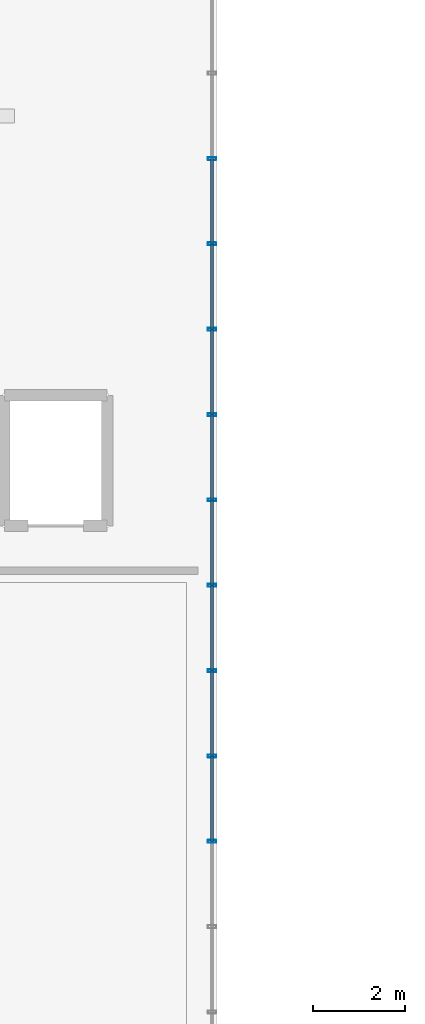
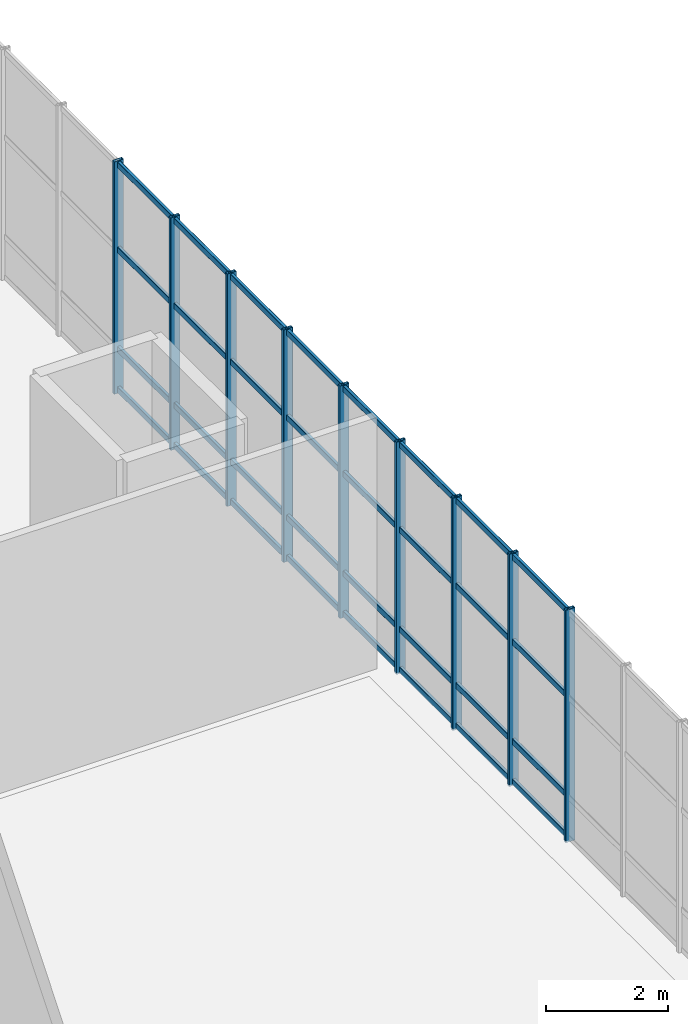
# One storey, part 116 of 176: 41 members, 2 elements without a shape of their own.
"""IFC4 building model written with IfcOpenShell, lengths in metres."""

from ifc_helpers import new_model, si_unit, direction, frame, origin, origin_2d, place, context, subcontext, project, spatial, hollow_rectangle, extrude, material, layer, layer_set, material_profile, profile_set, type_object, element, aggregate, save


model = new_model("IFC4")

# Units and contexts
model_context = context("Model", 3, precision=1e-05, world=origin(), true_north=direction((0.0, 1.0)))
body_context = subcontext(model_context, "Body", "Model", "MODEL_VIEW")
ifc_project = project(units=[si_unit("LENGTHUNIT", "METRE"), si_unit("AREAUNIT", "SQUARE_METRE"), si_unit("VOLUMEUNIT", "CUBIC_METRE"), si_unit("PLANEANGLEUNIT", "RADIAN"), si_unit("MASSUNIT", "GRAM", prefix="KILO")], contexts=[model_context])

# Site, building, storey
site_placement = place(None, origin())
site = spatial("IfcSite", under=ifc_project, at=site_placement, CompositionType="ELEMENT")
building_placement = place(site_placement, origin())
building = spatial("IfcBuilding", under=site, at=building_placement, Name="Khorjan Park Terminus", CompositionType="ELEMENT")
storey_placement = place(building_placement, frame((0.0, 0.0, 6.0)))
storey = spatial("IfcBuildingStorey", under=building, at=storey_placement, Name="L01", CompositionType="ELEMENT", Elevation=6.0)

# Curtain wall, members
ifc_material = material(Name="Anodized Bronze Aluminium", Category="aluminium")
ifc_layer = layer(ifc_material, 0.22)
ifc_layer_set = layer_set([ifc_layer], Name="Anodized Bronze Aluminium")
curtain_wall_type = type_object("IfcCurtainWallType", Name="CW-BRG-D", PredefinedType="NOTDEFINED", material=ifc_layer_set)
curtain_wall_1_placement = place(storey_placement, origin())
curtain_wall_1 = element("IfcCurtainWall", 1, at=curtain_wall_1_placement, inside=storey, type_object=curtain_wall_type, Name="Unitized curtain wall CW-D (CW-BRE-E-2)", PredefinedType="NOTDEFINED")
ifc_material_profile_1 = material_profile(ifc_material, hollow_rectangle(XDim=0.065, YDim=0.18, WallThickness=0.004, InnerFilletRadius=0.004, OuterFilletRadius=0.008, at=origin_2d()), Name="ALM 65x180x4")
ifc_profile_set_1 = profile_set([ifc_material_profile_1], Name="Anodized Bronze Aluminium")
member_type_1 = type_object("IfcMemberType", Name="ML-ALM-180", PredefinedType="MULLION", material=ifc_profile_set_1)
member_1_placement = place(storey_placement, frame((131.9, 118.7143, -0.035), z_axis=(0.0, 0.0, 1.0), x_axis=(0.0, 1.0, 0.0)))
member_1 = element("IfcMember", 2, at=member_1_placement, type_object=member_type_1, Name="Curtain-wall mullion ML-18 (CW-BRE-E-2-2)", PredefinedType="MULLION", context=body_context, shape_type="SweptSolid", body=[
    extrude(hollow_rectangle(XDim=0.065, YDim=0.18, WallThickness=0.004, InnerFilletRadius=0.004, OuterFilletRadius=0.008, at=origin_2d()), origin(), (0.0, 0.0, 1.0), 4.67),
])
member_2_placement = place(storey_placement, frame((131.9, 120.5714, -0.035), z_axis=(0.0, 0.0, 1.0), x_axis=(0.0, 1.0, 0.0)))
member_2 = element("IfcMember", 3, at=member_2_placement, type_object=member_type_1, Name="Curtain-wall mullion ML-18 (CW-BRE-E-2-3)", PredefinedType="MULLION", context=body_context, shape_type="SweptSolid", body=[
    extrude(hollow_rectangle(XDim=0.065, YDim=0.18, WallThickness=0.004, InnerFilletRadius=0.004, OuterFilletRadius=0.008, at=origin_2d()), origin(), (0.0, 0.0, 1.0), 4.67),
])
member_3_placement = place(storey_placement, frame((131.9, 122.4286, -0.035), z_axis=(0.0, 0.0, 1.0), x_axis=(0.0, 1.0, 0.0)))
member_3 = element("IfcMember", 4, at=member_3_placement, type_object=member_type_1, Name="Curtain-wall mullion ML-18 (CW-BRE-E-2-4)", PredefinedType="MULLION", context=body_context, shape_type="SweptSolid", body=[
    extrude(hollow_rectangle(XDim=0.065, YDim=0.18, WallThickness=0.004, InnerFilletRadius=0.004, OuterFilletRadius=0.008, at=origin_2d()), origin(), (0.0, 0.0, 1.0), 4.67),
])
member_4_placement = place(storey_placement, frame((131.9, 124.2857, -0.035), z_axis=(0.0, 0.0, 1.0), x_axis=(0.0, 1.0, 0.0)))
member_4 = element("IfcMember", 5, at=member_4_placement, type_object=member_type_1, Name="Curtain-wall mullion ML-18 (CW-BRE-E-2-5)", PredefinedType="MULLION", context=body_context, shape_type="SweptSolid", body=[
    extrude(hollow_rectangle(XDim=0.065, YDim=0.18, WallThickness=0.004, InnerFilletRadius=0.004, OuterFilletRadius=0.008, at=origin_2d()), origin(), (0.0, 0.0, 1.0), 4.67),
])
member_5_placement = place(storey_placement, frame((131.9, 126.1429, -0.035), z_axis=(0.0, 0.0, 1.0), x_axis=(0.0, 1.0, 0.0)))
member_5 = element("IfcMember", 6, at=member_5_placement, type_object=member_type_1, Name="Curtain-wall mullion ML-18 (CW-BRE-E-2-6)", PredefinedType="MULLION", context=body_context, shape_type="SweptSolid", body=[
    extrude(hollow_rectangle(XDim=0.065, YDim=0.18, WallThickness=0.004, InnerFilletRadius=0.004, OuterFilletRadius=0.008, at=origin_2d()), origin(), (0.0, 0.0, 1.0), 4.67),
])
member_6_placement = place(storey_placement, frame((131.9, 128.0, -0.035), z_axis=(0.0, 0.0, 1.0), x_axis=(0.0, 1.0, 0.0)))
member_6 = element("IfcMember", 7, at=member_6_placement, type_object=member_type_1, Name="Curtain-wall mullion ML-18 (CW-BRE-E-2-7)", PredefinedType="MULLION", context=body_context, shape_type="SweptSolid", body=[
    extrude(hollow_rectangle(XDim=0.065, YDim=0.18, WallThickness=0.004, InnerFilletRadius=0.004, OuterFilletRadius=0.008, at=origin_2d()), origin(), (0.0, 0.0, 1.0), 4.67),
])

curtain_wall_2_placement = place(storey_placement, origin())
curtain_wall_2 = element("IfcCurtainWall", 8, at=curtain_wall_2_placement, inside=storey, type_object=curtain_wall_type, Name="Unitized curtain wall CW-D (CW-BRE-E-3)", PredefinedType="NOTDEFINED")
member_7_placement = place(storey_placement, frame((131.9, 129.8571, -0.035), z_axis=(0.0, 0.0, 1.0), x_axis=(0.0, 1.0, 0.0)))
member_7 = element("IfcMember", 9, at=member_7_placement, type_object=member_type_1, Name="Curtain-wall mullion ML-18 (CW-BRE-E-3-1)", PredefinedType="MULLION", context=body_context, shape_type="SweptSolid", body=[
    extrude(hollow_rectangle(XDim=0.065, YDim=0.18, WallThickness=0.004, InnerFilletRadius=0.004, OuterFilletRadius=0.008, at=origin_2d()), origin(), (0.0, 0.0, 1.0), 4.67),
])
member_8_placement = place(storey_placement, frame((131.9, 131.7143, -0.035), z_axis=(0.0, 0.0, 1.0), x_axis=(0.0, 1.0, 0.0)))
member_8 = element("IfcMember", 10, at=member_8_placement, type_object=member_type_1, Name="Curtain-wall mullion ML-18 (CW-BRE-E-3-2)", PredefinedType="MULLION", context=body_context, shape_type="SweptSolid", body=[
    extrude(hollow_rectangle(XDim=0.065, YDim=0.18, WallThickness=0.004, InnerFilletRadius=0.004, OuterFilletRadius=0.008, at=origin_2d()), origin(), (0.0, 0.0, 1.0), 4.67),
])
member_9_placement = place(storey_placement, frame((131.9, 133.5714, -0.035), z_axis=(0.0, 0.0, 1.0), x_axis=(0.0, 1.0, 0.0)))
member_9 = element("IfcMember", 11, at=member_9_placement, type_object=member_type_1, Name="Curtain-wall mullion ML-18 (CW-BRE-E-3-3)", PredefinedType="MULLION", context=body_context, shape_type="SweptSolid", body=[
    extrude(hollow_rectangle(XDim=0.065, YDim=0.18, WallThickness=0.004, InnerFilletRadius=0.004, OuterFilletRadius=0.008, at=origin_2d()), origin(), (0.0, 0.0, 1.0), 4.67),
])

# Member
ifc_material_profile_2 = material_profile(ifc_material, hollow_rectangle(XDim=0.06, YDim=0.12, WallThickness=0.004, InnerFilletRadius=0.004, OuterFilletRadius=0.008, at=origin_2d()), Name="ALT 60x120x4")
ifc_profile_set_2 = profile_set([ifc_material_profile_2], Name="Anodized Bronze Aluminium")
member_type_2 = type_object("IfcMemberType", Name="TR-ALT-120", PredefinedType="USERDEFINED", material=ifc_profile_set_2)
member_10_placement = place(storey_placement, frame((131.9, 118.7143, 0.04), z_axis=(0.0, 1.0, 0.0), x_axis=(-1.0, 0.0, 0.0)))
member_10 = element("IfcMember", 12, at=member_10_placement, type_object=member_type_2, Name="Curtain-wall transom TR-12 (CW-BRE-E-2-2-1)", ObjectType="TRANSOM", PredefinedType="USERDEFINED", context=body_context, shape_type="SweptSolid", body=[
    extrude(hollow_rectangle(XDim=0.06, YDim=0.12, WallThickness=0.004, InnerFilletRadius=0.004, OuterFilletRadius=0.008, at=origin_2d()), origin(), (0.0, 0.0, 1.0), 1.8571),
])

member_11_placement = place(storey_placement, frame((131.9, 118.7143, 0.85), z_axis=(0.0, 1.0, 0.0), x_axis=(-1.0, 0.0, 0.0)))
member_11 = element("IfcMember", 13, at=member_11_placement, type_object=member_type_2, Name="Curtain-wall transom TR-12 (CW-BRE-E-2-2-2)", ObjectType="TRANSOM", PredefinedType="USERDEFINED", context=body_context, shape_type="SweptSolid", body=[
    extrude(hollow_rectangle(XDim=0.06, YDim=0.12, WallThickness=0.004, InnerFilletRadius=0.004, OuterFilletRadius=0.008, at=origin_2d()), origin(), (0.0, 0.0, 1.0), 1.8571),
])

member_12_placement = place(storey_placement, frame((131.9, 118.7143, 2.852), z_axis=(0.0, 1.0, 0.0), x_axis=(-1.0, 0.0, 0.0)))
member_12 = element("IfcMember", 14, at=member_12_placement, type_object=member_type_2, Name="Curtain-wall transom TR-12 (CW-BRE-E-2-2-3)", ObjectType="TRANSOM", PredefinedType="USERDEFINED", context=body_context, shape_type="SweptSolid", body=[
    extrude(hollow_rectangle(XDim=0.06, YDim=0.12, WallThickness=0.004, InnerFilletRadius=0.004, OuterFilletRadius=0.008, at=origin_2d()), origin(), (0.0, 0.0, 1.0), 1.8571),
])

member_13_placement = place(storey_placement, frame((131.9, 118.7143, 4.56), z_axis=(0.0, 1.0, 0.0), x_axis=(-1.0, 0.0, 0.0)))
member_13 = element("IfcMember", 15, at=member_13_placement, type_object=member_type_2, Name="Curtain-wall transom TR-12 (CW-BRE-E-2-2-4)", ObjectType="TRANSOM", PredefinedType="USERDEFINED", context=body_context, shape_type="SweptSolid", body=[
    extrude(hollow_rectangle(XDim=0.06, YDim=0.12, WallThickness=0.004, InnerFilletRadius=0.004, OuterFilletRadius=0.008, at=origin_2d()), origin(), (0.0, 0.0, 1.0), 1.8571),
])

member_14_placement = place(storey_placement, frame((131.9, 120.5714, 0.04), z_axis=(0.0, 1.0, 0.0), x_axis=(-1.0, 0.0, 0.0)))
member_14 = element("IfcMember", 16, at=member_14_placement, type_object=member_type_2, Name="Curtain-wall transom TR-12 (CW-BRE-E-2-3-1)", ObjectType="TRANSOM", PredefinedType="USERDEFINED", context=body_context, shape_type="SweptSolid", body=[
    extrude(hollow_rectangle(XDim=0.06, YDim=0.12, WallThickness=0.004, InnerFilletRadius=0.004, OuterFilletRadius=0.008, at=origin_2d()), origin(), (0.0, 0.0, 1.0), 1.8572),
])

member_15_placement = place(storey_placement, frame((131.9, 120.5714, 0.85), z_axis=(0.0, 1.0, 0.0), x_axis=(-1.0, 0.0, 0.0)))
member_15 = element("IfcMember", 17, at=member_15_placement, type_object=member_type_2, Name="Curtain-wall transom TR-12 (CW-BRE-E-2-3-2)", ObjectType="TRANSOM", PredefinedType="USERDEFINED", context=body_context, shape_type="SweptSolid", body=[
    extrude(hollow_rectangle(XDim=0.06, YDim=0.12, WallThickness=0.004, InnerFilletRadius=0.004, OuterFilletRadius=0.008, at=origin_2d()), origin(), (0.0, 0.0, 1.0), 1.8572),
])

member_16_placement = place(storey_placement, frame((131.9, 120.5714, 2.852), z_axis=(0.0, 1.0, 0.0), x_axis=(-1.0, 0.0, 0.0)))
member_16 = element("IfcMember", 18, at=member_16_placement, type_object=member_type_2, Name="Curtain-wall transom TR-12 (CW-BRE-E-2-3-3)", ObjectType="TRANSOM", PredefinedType="USERDEFINED", context=body_context, shape_type="SweptSolid", body=[
    extrude(hollow_rectangle(XDim=0.06, YDim=0.12, WallThickness=0.004, InnerFilletRadius=0.004, OuterFilletRadius=0.008, at=origin_2d()), origin(), (0.0, 0.0, 1.0), 1.8572),
])

member_17_placement = place(storey_placement, frame((131.9, 120.5714, 4.56), z_axis=(0.0, 1.0, 0.0), x_axis=(-1.0, 0.0, 0.0)))
member_17 = element("IfcMember", 19, at=member_17_placement, type_object=member_type_2, Name="Curtain-wall transom TR-12 (CW-BRE-E-2-3-4)", ObjectType="TRANSOM", PredefinedType="USERDEFINED", context=body_context, shape_type="SweptSolid", body=[
    extrude(hollow_rectangle(XDim=0.06, YDim=0.12, WallThickness=0.004, InnerFilletRadius=0.004, OuterFilletRadius=0.008, at=origin_2d()), origin(), (0.0, 0.0, 1.0), 1.8572),
])

member_18_placement = place(storey_placement, frame((131.9, 122.4286, 0.04), z_axis=(0.0, 1.0, 0.0), x_axis=(-1.0, 0.0, 0.0)))
member_18 = element("IfcMember", 20, at=member_18_placement, type_object=member_type_2, Name="Curtain-wall transom TR-12 (CW-BRE-E-2-4-1)", ObjectType="TRANSOM", PredefinedType="USERDEFINED", context=body_context, shape_type="SweptSolid", body=[
    extrude(hollow_rectangle(XDim=0.06, YDim=0.12, WallThickness=0.004, InnerFilletRadius=0.004, OuterFilletRadius=0.008, at=origin_2d()), origin(), (0.0, 0.0, 1.0), 1.8571),
])

member_19_placement = place(storey_placement, frame((131.9, 122.4286, 0.85), z_axis=(0.0, 1.0, 0.0), x_axis=(-1.0, 0.0, 0.0)))
member_19 = element("IfcMember", 21, at=member_19_placement, type_object=member_type_2, Name="Curtain-wall transom TR-12 (CW-BRE-E-2-4-2)", ObjectType="TRANSOM", PredefinedType="USERDEFINED", context=body_context, shape_type="SweptSolid", body=[
    extrude(hollow_rectangle(XDim=0.06, YDim=0.12, WallThickness=0.004, InnerFilletRadius=0.004, OuterFilletRadius=0.008, at=origin_2d()), origin(), (0.0, 0.0, 1.0), 1.8571),
])

member_20_placement = place(storey_placement, frame((131.9, 122.4286, 2.852), z_axis=(0.0, 1.0, 0.0), x_axis=(-1.0, 0.0, 0.0)))
member_20 = element("IfcMember", 22, at=member_20_placement, type_object=member_type_2, Name="Curtain-wall transom TR-12 (CW-BRE-E-2-4-3)", ObjectType="TRANSOM", PredefinedType="USERDEFINED", context=body_context, shape_type="SweptSolid", body=[
    extrude(hollow_rectangle(XDim=0.06, YDim=0.12, WallThickness=0.004, InnerFilletRadius=0.004, OuterFilletRadius=0.008, at=origin_2d()), origin(), (0.0, 0.0, 1.0), 1.8571),
])

member_21_placement = place(storey_placement, frame((131.9, 122.4286, 4.56), z_axis=(0.0, 1.0, 0.0), x_axis=(-1.0, 0.0, 0.0)))
member_21 = element("IfcMember", 23, at=member_21_placement, type_object=member_type_2, Name="Curtain-wall transom TR-12 (CW-BRE-E-2-4-4)", ObjectType="TRANSOM", PredefinedType="USERDEFINED", context=body_context, shape_type="SweptSolid", body=[
    extrude(hollow_rectangle(XDim=0.06, YDim=0.12, WallThickness=0.004, InnerFilletRadius=0.004, OuterFilletRadius=0.008, at=origin_2d()), origin(), (0.0, 0.0, 1.0), 1.8571),
])

member_22_placement = place(storey_placement, frame((131.9, 124.2857, 0.04), z_axis=(0.0, 1.0, 0.0), x_axis=(-1.0, 0.0, 0.0)))
member_22 = element("IfcMember", 24, at=member_22_placement, type_object=member_type_2, Name="Curtain-wall transom TR-12 (CW-BRE-E-2-5-1)", ObjectType="TRANSOM", PredefinedType="USERDEFINED", context=body_context, shape_type="SweptSolid", body=[
    extrude(hollow_rectangle(XDim=0.06, YDim=0.12, WallThickness=0.004, InnerFilletRadius=0.004, OuterFilletRadius=0.008, at=origin_2d()), origin(), (0.0, 0.0, 1.0), 1.8572),
])

member_23_placement = place(storey_placement, frame((131.9, 124.2857, 0.85), z_axis=(0.0, 1.0, 0.0), x_axis=(-1.0, 0.0, 0.0)))
member_23 = element("IfcMember", 25, at=member_23_placement, type_object=member_type_2, Name="Curtain-wall transom TR-12 (CW-BRE-E-2-5-2)", ObjectType="TRANSOM", PredefinedType="USERDEFINED", context=body_context, shape_type="SweptSolid", body=[
    extrude(hollow_rectangle(XDim=0.06, YDim=0.12, WallThickness=0.004, InnerFilletRadius=0.004, OuterFilletRadius=0.008, at=origin_2d()), origin(), (0.0, 0.0, 1.0), 1.8572),
])

member_24_placement = place(storey_placement, frame((131.9, 124.2857, 2.852), z_axis=(0.0, 1.0, 0.0), x_axis=(-1.0, 0.0, 0.0)))
member_24 = element("IfcMember", 26, at=member_24_placement, type_object=member_type_2, Name="Curtain-wall transom TR-12 (CW-BRE-E-2-5-3)", ObjectType="TRANSOM", PredefinedType="USERDEFINED", context=body_context, shape_type="SweptSolid", body=[
    extrude(hollow_rectangle(XDim=0.06, YDim=0.12, WallThickness=0.004, InnerFilletRadius=0.004, OuterFilletRadius=0.008, at=origin_2d()), origin(), (0.0, 0.0, 1.0), 1.8572),
])

member_25_placement = place(storey_placement, frame((131.9, 124.2857, 4.56), z_axis=(0.0, 1.0, 0.0), x_axis=(-1.0, 0.0, 0.0)))
member_25 = element("IfcMember", 27, at=member_25_placement, type_object=member_type_2, Name="Curtain-wall transom TR-12 (CW-BRE-E-2-5-4)", ObjectType="TRANSOM", PredefinedType="USERDEFINED", context=body_context, shape_type="SweptSolid", body=[
    extrude(hollow_rectangle(XDim=0.06, YDim=0.12, WallThickness=0.004, InnerFilletRadius=0.004, OuterFilletRadius=0.008, at=origin_2d()), origin(), (0.0, 0.0, 1.0), 1.8572),
])

member_26_placement = place(storey_placement, frame((131.9, 126.1429, 0.04), z_axis=(0.0, 1.0, 0.0), x_axis=(-1.0, 0.0, 0.0)))
member_26 = element("IfcMember", 28, at=member_26_placement, type_object=member_type_2, Name="Curtain-wall transom TR-12 (CW-BRE-E-2-6-1)", ObjectType="TRANSOM", PredefinedType="USERDEFINED", context=body_context, shape_type="SweptSolid", body=[
    extrude(hollow_rectangle(XDim=0.06, YDim=0.12, WallThickness=0.004, InnerFilletRadius=0.004, OuterFilletRadius=0.008, at=origin_2d()), origin(), (0.0, 0.0, 1.0), 1.8571),
])

member_27_placement = place(storey_placement, frame((131.9, 126.1429, 0.85), z_axis=(0.0, 1.0, 0.0), x_axis=(-1.0, 0.0, 0.0)))
member_27 = element("IfcMember", 29, at=member_27_placement, type_object=member_type_2, Name="Curtain-wall transom TR-12 (CW-BRE-E-2-6-2)", ObjectType="TRANSOM", PredefinedType="USERDEFINED", context=body_context, shape_type="SweptSolid", body=[
    extrude(hollow_rectangle(XDim=0.06, YDim=0.12, WallThickness=0.004, InnerFilletRadius=0.004, OuterFilletRadius=0.008, at=origin_2d()), origin(), (0.0, 0.0, 1.0), 1.8571),
])

member_28_placement = place(storey_placement, frame((131.9, 126.1429, 2.852), z_axis=(0.0, 1.0, 0.0), x_axis=(-1.0, 0.0, 0.0)))
member_28 = element("IfcMember", 30, at=member_28_placement, type_object=member_type_2, Name="Curtain-wall transom TR-12 (CW-BRE-E-2-6-3)", ObjectType="TRANSOM", PredefinedType="USERDEFINED", context=body_context, shape_type="SweptSolid", body=[
    extrude(hollow_rectangle(XDim=0.06, YDim=0.12, WallThickness=0.004, InnerFilletRadius=0.004, OuterFilletRadius=0.008, at=origin_2d()), origin(), (0.0, 0.0, 1.0), 1.8571),
])

member_29_placement = place(storey_placement, frame((131.9, 126.1429, 4.56), z_axis=(0.0, 1.0, 0.0), x_axis=(-1.0, 0.0, 0.0)))
member_29 = element("IfcMember", 31, at=member_29_placement, type_object=member_type_2, Name="Curtain-wall transom TR-12 (CW-BRE-E-2-6-4)", ObjectType="TRANSOM", PredefinedType="USERDEFINED", context=body_context, shape_type="SweptSolid", body=[
    extrude(hollow_rectangle(XDim=0.06, YDim=0.12, WallThickness=0.004, InnerFilletRadius=0.004, OuterFilletRadius=0.008, at=origin_2d()), origin(), (0.0, 0.0, 1.0), 1.8571),
])

aggregate(curtain_wall_1, [member_1, member_2, member_3, member_4, member_5, member_6, member_10, member_11, member_12, member_13, member_14, member_15, member_16, member_17, member_18, member_19, member_20, member_21, member_22, member_23, member_24, member_25, member_26, member_27, member_28, member_29])

member_30_placement = place(storey_placement, frame((131.9, 128.0, 0.04), z_axis=(0.0, 1.0, 0.0), x_axis=(-1.0, 0.0, 0.0)))
member_30 = element("IfcMember", 32, at=member_30_placement, type_object=member_type_2, Name="Curtain-wall transom TR-12 (CW-BRE-E-3-0-1)", ObjectType="TRANSOM", PredefinedType="USERDEFINED", context=body_context, shape_type="SweptSolid", body=[
    extrude(hollow_rectangle(XDim=0.06, YDim=0.12, WallThickness=0.004, InnerFilletRadius=0.004, OuterFilletRadius=0.008, at=origin_2d()), origin(), (0.0, 0.0, 1.0), 1.8571),
])

member_31_placement = place(storey_placement, frame((131.9, 128.0, 0.85), z_axis=(0.0, 1.0, 0.0), x_axis=(-1.0, 0.0, 0.0)))
member_31 = element("IfcMember", 33, at=member_31_placement, type_object=member_type_2, Name="Curtain-wall transom TR-12 (CW-BRE-E-3-0-2)", ObjectType="TRANSOM", PredefinedType="USERDEFINED", context=body_context, shape_type="SweptSolid", body=[
    extrude(hollow_rectangle(XDim=0.06, YDim=0.12, WallThickness=0.004, InnerFilletRadius=0.004, OuterFilletRadius=0.008, at=origin_2d()), origin(), (0.0, 0.0, 1.0), 1.8571),
])

member_32_placement = place(storey_placement, frame((131.9, 128.0, 2.852), z_axis=(0.0, 1.0, 0.0), x_axis=(-1.0, 0.0, 0.0)))
member_32 = element("IfcMember", 34, at=member_32_placement, type_object=member_type_2, Name="Curtain-wall transom TR-12 (CW-BRE-E-3-0-3)", ObjectType="TRANSOM", PredefinedType="USERDEFINED", context=body_context, shape_type="SweptSolid", body=[
    extrude(hollow_rectangle(XDim=0.06, YDim=0.12, WallThickness=0.004, InnerFilletRadius=0.004, OuterFilletRadius=0.008, at=origin_2d()), origin(), (0.0, 0.0, 1.0), 1.8571),
])

member_33_placement = place(storey_placement, frame((131.9, 128.0, 4.56), z_axis=(0.0, 1.0, 0.0), x_axis=(-1.0, 0.0, 0.0)))
member_33 = element("IfcMember", 35, at=member_33_placement, type_object=member_type_2, Name="Curtain-wall transom TR-12 (CW-BRE-E-3-0-4)", ObjectType="TRANSOM", PredefinedType="USERDEFINED", context=body_context, shape_type="SweptSolid", body=[
    extrude(hollow_rectangle(XDim=0.06, YDim=0.12, WallThickness=0.004, InnerFilletRadius=0.004, OuterFilletRadius=0.008, at=origin_2d()), origin(), (0.0, 0.0, 1.0), 1.8571),
])

member_34_placement = place(storey_placement, frame((131.9, 129.8571, 0.04), z_axis=(0.0, 1.0, 0.0), x_axis=(-1.0, 0.0, 0.0)))
member_34 = element("IfcMember", 36, at=member_34_placement, type_object=member_type_2, Name="Curtain-wall transom TR-12 (CW-BRE-E-3-1-1)", ObjectType="TRANSOM", PredefinedType="USERDEFINED", context=body_context, shape_type="SweptSolid", body=[
    extrude(hollow_rectangle(XDim=0.06, YDim=0.12, WallThickness=0.004, InnerFilletRadius=0.004, OuterFilletRadius=0.008, at=origin_2d()), origin(), (0.0, 0.0, 1.0), 1.8572),
])

member_35_placement = place(storey_placement, frame((131.9, 129.8571, 0.85), z_axis=(0.0, 1.0, 0.0), x_axis=(-1.0, 0.0, 0.0)))
member_35 = element("IfcMember", 37, at=member_35_placement, type_object=member_type_2, Name="Curtain-wall transom TR-12 (CW-BRE-E-3-1-2)", ObjectType="TRANSOM", PredefinedType="USERDEFINED", context=body_context, shape_type="SweptSolid", body=[
    extrude(hollow_rectangle(XDim=0.06, YDim=0.12, WallThickness=0.004, InnerFilletRadius=0.004, OuterFilletRadius=0.008, at=origin_2d()), origin(), (0.0, 0.0, 1.0), 1.8572),
])

member_36_placement = place(storey_placement, frame((131.9, 129.8571, 2.852), z_axis=(0.0, 1.0, 0.0), x_axis=(-1.0, 0.0, 0.0)))
member_36 = element("IfcMember", 38, at=member_36_placement, type_object=member_type_2, Name="Curtain-wall transom TR-12 (CW-BRE-E-3-1-3)", ObjectType="TRANSOM", PredefinedType="USERDEFINED", context=body_context, shape_type="SweptSolid", body=[
    extrude(hollow_rectangle(XDim=0.06, YDim=0.12, WallThickness=0.004, InnerFilletRadius=0.004, OuterFilletRadius=0.008, at=origin_2d()), origin(), (0.0, 0.0, 1.0), 1.8572),
])

member_37_placement = place(storey_placement, frame((131.9, 129.8571, 4.56), z_axis=(0.0, 1.0, 0.0), x_axis=(-1.0, 0.0, 0.0)))
member_37 = element("IfcMember", 39, at=member_37_placement, type_object=member_type_2, Name="Curtain-wall transom TR-12 (CW-BRE-E-3-1-4)", ObjectType="TRANSOM", PredefinedType="USERDEFINED", context=body_context, shape_type="SweptSolid", body=[
    extrude(hollow_rectangle(XDim=0.06, YDim=0.12, WallThickness=0.004, InnerFilletRadius=0.004, OuterFilletRadius=0.008, at=origin_2d()), origin(), (0.0, 0.0, 1.0), 1.8572),
])

member_38_placement = place(storey_placement, frame((131.9, 131.7143, 0.04), z_axis=(0.0, 1.0, 0.0), x_axis=(-1.0, 0.0, 0.0)))
member_38 = element("IfcMember", 40, at=member_38_placement, type_object=member_type_2, Name="Curtain-wall transom TR-12 (CW-BRE-E-3-2-1)", ObjectType="TRANSOM", PredefinedType="USERDEFINED", context=body_context, shape_type="SweptSolid", body=[
    extrude(hollow_rectangle(XDim=0.06, YDim=0.12, WallThickness=0.004, InnerFilletRadius=0.004, OuterFilletRadius=0.008, at=origin_2d()), origin(), (0.0, 0.0, 1.0), 1.8571),
])

member_39_placement = place(storey_placement, frame((131.9, 131.7143, 0.85), z_axis=(0.0, 1.0, 0.0), x_axis=(-1.0, 0.0, 0.0)))
member_39 = element("IfcMember", 41, at=member_39_placement, type_object=member_type_2, Name="Curtain-wall transom TR-12 (CW-BRE-E-3-2-2)", ObjectType="TRANSOM", PredefinedType="USERDEFINED", context=body_context, shape_type="SweptSolid", body=[
    extrude(hollow_rectangle(XDim=0.06, YDim=0.12, WallThickness=0.004, InnerFilletRadius=0.004, OuterFilletRadius=0.008, at=origin_2d()), origin(), (0.0, 0.0, 1.0), 1.8571),
])

member_40_placement = place(storey_placement, frame((131.9, 131.7143, 2.852), z_axis=(0.0, 1.0, 0.0), x_axis=(-1.0, 0.0, 0.0)))
member_40 = element("IfcMember", 42, at=member_40_placement, type_object=member_type_2, Name="Curtain-wall transom TR-12 (CW-BRE-E-3-2-3)", ObjectType="TRANSOM", PredefinedType="USERDEFINED", context=body_context, shape_type="SweptSolid", body=[
    extrude(hollow_rectangle(XDim=0.06, YDim=0.12, WallThickness=0.004, InnerFilletRadius=0.004, OuterFilletRadius=0.008, at=origin_2d()), origin(), (0.0, 0.0, 1.0), 1.8571),
])

member_41_placement = place(storey_placement, frame((131.9, 131.7143, 4.56), z_axis=(0.0, 1.0, 0.0), x_axis=(-1.0, 0.0, 0.0)))
member_41 = element("IfcMember", 43, at=member_41_placement, type_object=member_type_2, Name="Curtain-wall transom TR-12 (CW-BRE-E-3-2-4)", ObjectType="TRANSOM", PredefinedType="USERDEFINED", context=body_context, shape_type="SweptSolid", body=[
    extrude(hollow_rectangle(XDim=0.06, YDim=0.12, WallThickness=0.004, InnerFilletRadius=0.004, OuterFilletRadius=0.008, at=origin_2d()), origin(), (0.0, 0.0, 1.0), 1.8571),
])

aggregate(curtain_wall_2, [member_7, member_8, member_9, member_30, member_31, member_32, member_33, member_34, member_35, member_36, member_37, member_38, member_39, member_40, member_41])

save(model, "model.ifc")
